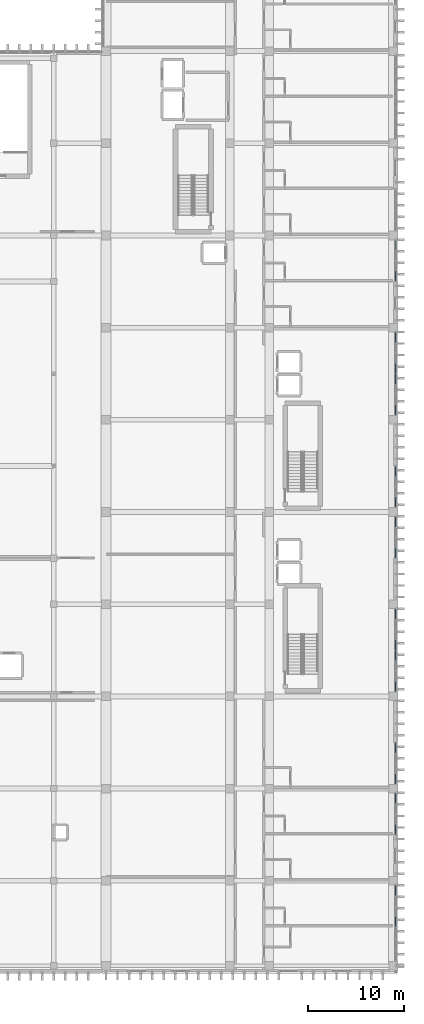
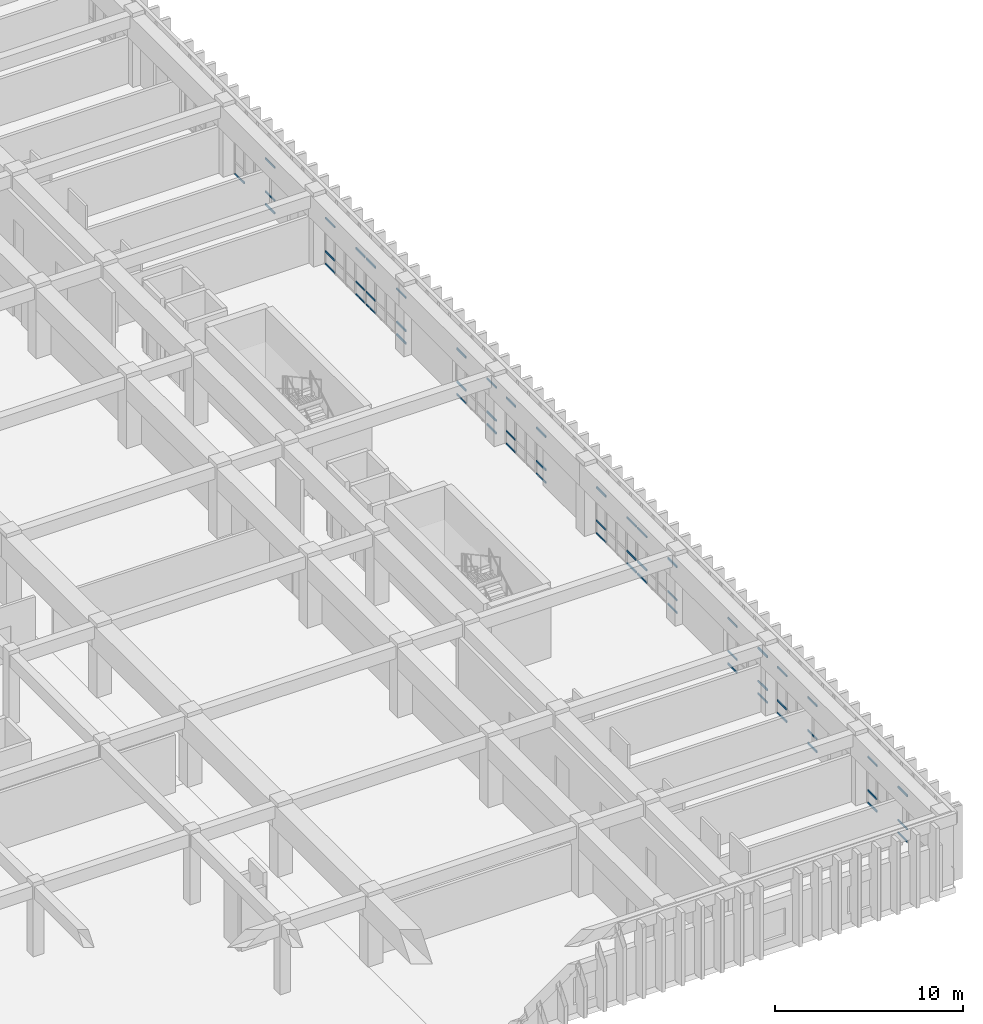
# One storey, part 61 of 101: 58 members, 10 elements without a shape of their own.
"""IFC4 building model written with IfcOpenShell, lengths in metres."""

from ifc_helpers import new_model, si_unit, direction, frame, origin, origin_2d, place, context, subcontext, project, spatial, hollow_rectangle, extrude, material, layer, layer_set, material_profile, profile_set, type_object, element, aggregate, save


model = new_model("IFC4")

# Units and contexts
model_context = context("Model", 3, precision=1e-05, world=origin(), true_north=direction((0.0, 1.0)))
body_context = subcontext(model_context, "Body", "Model", "MODEL_VIEW")
ifc_project = project(units=[si_unit("LENGTHUNIT", "METRE"), si_unit("AREAUNIT", "SQUARE_METRE"), si_unit("VOLUMEUNIT", "CUBIC_METRE"), si_unit("PLANEANGLEUNIT", "RADIAN"), si_unit("MASSUNIT", "GRAM", prefix="KILO")], contexts=[model_context])

# Site, building, storey
site_placement = place(None, origin())
site = spatial("IfcSite", under=ifc_project, at=site_placement, CompositionType="ELEMENT")
building_placement = place(site_placement, origin())
building = spatial("IfcBuilding", under=site, at=building_placement, Name="Nakhvara Creek Congress Hotel", CompositionType="ELEMENT")
storey_placement = place(building_placement, frame((0.0, 0.0, 16.199951171875)))
storey = spatial("IfcBuildingStorey", under=building, at=storey_placement, Name="L03", CompositionType="ELEMENT", Elevation=16.199951171875)

# Curtain wall, members
ifc_material_1 = material(Name="Bronze-anodised aluminium AW-6063-T6 and double-silver low-E glass", Category="aluminium")
ifc_layer = layer(ifc_material_1, 0.199951171875)
ifc_layer_set = layer_set([ifc_layer], Name="Bronze-anodised aluminium AW-6063-T6 and double-silver low-E glass")
curtain_wall_type = type_object("IfcCurtainWallType", Name="CW-HTL-UNIT", PredefinedType="USERDEFINED", material=ifc_layer_set)
curtain_wall_1_placement = place(storey_placement, origin())
curtain_wall_1 = element("IfcCurtainWall", 1, at=curtain_wall_1_placement, inside=storey, type_object=curtain_wall_type, Name="Curtain Wall CW151", ObjectType="UNITISED", PredefinedType="USERDEFINED")
ifc_material_2 = material(Name="Bronze-anodised aluminium AW-6063-T6", Category="aluminium")
ifc_material_profile = material_profile(ifc_material_2, hollow_rectangle(XDim=0.06494140625, YDim=0.1201171875, WallThickness=0.00390625, at=origin_2d()), Name="ALU-TRAN 65x120x4", Category="LoadBearing")
ifc_profile_set = profile_set([ifc_material_profile], Name="Bronze-anodised aluminium AW-6063-T6")
member_type = type_object("IfcMemberType", Name="CW-TRAN-120", PredefinedType="USERDEFINED", material=ifc_profile_set)
member_1_placement = place(storey_placement, frame((179.60009765625, 9.070068359375, 0.032470703125), z_axis=(0.0, -1.0, 0.0), x_axis=(1.0, 0.0, 0.0)))
member_1 = element("IfcMember", 2, at=member_1_placement, type_object=member_type, Name="CW151 transom 1.1", ObjectType="TRANSOM", PredefinedType="USERDEFINED", context=body_context, shape_type="SweptSolid", body=[
    extrude(hollow_rectangle(XDim=0.06494140625, YDim=0.1201171875, WallThickness=0.00390625, at=origin_2d()), origin(), (0.0, 0.0, 1.0), 0.986328125),
])
member_2_placement = place(storey_placement, frame((179.60009765625, 9.070068359375, 0.85009765625), z_axis=(0.0, -1.0, 0.0), x_axis=(1.0, 0.0, 0.0)))
member_2 = element("IfcMember", 3, at=member_2_placement, type_object=member_type, Name="CW151 transom 1.2", ObjectType="TRANSOM", PredefinedType="USERDEFINED", context=body_context, shape_type="SweptSolid", body=[
    extrude(hollow_rectangle(XDim=0.06494140625, YDim=0.1201171875, WallThickness=0.00390625, at=origin_2d()), origin(), (0.0, 0.0, 1.0), 0.986328125),
])
member_3_placement = place(storey_placement, frame((179.60009765625, 9.070068359375, 2.99951171875), z_axis=(0.0, -1.0, 0.0), x_axis=(1.0, 0.0, 0.0)))
member_3 = element("IfcMember", 4, at=member_3_placement, type_object=member_type, Name="CW151 transom 1.3", ObjectType="TRANSOM", PredefinedType="USERDEFINED", context=body_context, shape_type="SweptSolid", body=[
    extrude(hollow_rectangle(XDim=0.06494140625, YDim=0.1201171875, WallThickness=0.00390625, at=origin_2d()), origin(), (0.0, 0.0, 1.0), 0.986328125),
])
member_4_placement = place(storey_placement, frame((179.60009765625, 5.851318359375, 0.032470703125), z_axis=(0.0, -1.0, 0.0), x_axis=(1.0, 0.0, 0.0)))
member_4 = element("IfcMember", 5, at=member_4_placement, type_object=member_type, Name="CW151 transom 4.1", ObjectType="TRANSOM", PredefinedType="USERDEFINED", context=body_context, shape_type="SweptSolid", body=[
    extrude(hollow_rectangle(XDim=0.06494140625, YDim=0.1201171875, WallThickness=0.00390625, at=origin_2d()), origin(), (0.0, 0.0, 1.0), 0.986328125),
])
member_5_placement = place(storey_placement, frame((179.60009765625, 5.851318359375, 0.85009765625), z_axis=(0.0, -1.0, 0.0), x_axis=(1.0, 0.0, 0.0)))
member_5 = element("IfcMember", 6, at=member_5_placement, type_object=member_type, Name="CW151 transom 4.2", ObjectType="TRANSOM", PredefinedType="USERDEFINED", context=body_context, shape_type="SweptSolid", body=[
    extrude(hollow_rectangle(XDim=0.06494140625, YDim=0.1201171875, WallThickness=0.00390625, at=origin_2d()), origin(), (0.0, 0.0, 1.0), 0.986328125),
])
member_6_placement = place(storey_placement, frame((179.60009765625, 5.851318359375, 2.99951171875), z_axis=(0.0, -1.0, 0.0), x_axis=(1.0, 0.0, 0.0)))
member_6 = element("IfcMember", 7, at=member_6_placement, type_object=member_type, Name="CW151 transom 4.3", ObjectType="TRANSOM", PredefinedType="USERDEFINED", context=body_context, shape_type="SweptSolid", body=[
    extrude(hollow_rectangle(XDim=0.06494140625, YDim=0.1201171875, WallThickness=0.00390625, at=origin_2d()), origin(), (0.0, 0.0, 1.0), 0.986328125),
])
aggregate(curtain_wall_1, [member_1, member_2, member_3, member_4, member_5, member_6])

curtain_wall_2_placement = place(storey_placement, origin())
curtain_wall_2 = element("IfcCurtainWall", 8, at=curtain_wall_2_placement, inside=storey, type_object=curtain_wall_type, Name="Curtain Wall CW152", ObjectType="UNITISED", PredefinedType="USERDEFINED")
member_7_placement = place(storey_placement, frame((179.60009765625, 18.669921875, 0.032470703125), z_axis=(0.0, -1.0, 0.0), x_axis=(1.0, 0.0, 0.0)))
member_7 = element("IfcMember", 9, at=member_7_placement, type_object=member_type, Name="CW152 transom 1.1", ObjectType="TRANSOM", PredefinedType="USERDEFINED", context=body_context, shape_type="SweptSolid", body=[
    extrude(hollow_rectangle(XDim=0.06494140625, YDim=0.1201171875, WallThickness=0.00390625, at=origin_2d()), origin(), (0.0, 0.0, 1.0), 0.986083984375),
])
member_8_placement = place(storey_placement, frame((179.60009765625, 18.669921875, 0.85009765625), z_axis=(0.0, -1.0, 0.0), x_axis=(1.0, 0.0, 0.0)))
member_8 = element("IfcMember", 10, at=member_8_placement, type_object=member_type, Name="CW152 transom 1.2", ObjectType="TRANSOM", PredefinedType="USERDEFINED", context=body_context, shape_type="SweptSolid", body=[
    extrude(hollow_rectangle(XDim=0.06494140625, YDim=0.1201171875, WallThickness=0.00390625, at=origin_2d()), origin(), (0.0, 0.0, 1.0), 0.986083984375),
])
member_9_placement = place(storey_placement, frame((179.60009765625, 18.669921875, 2.99951171875), z_axis=(0.0, -1.0, 0.0), x_axis=(1.0, 0.0, 0.0)))
member_9 = element("IfcMember", 11, at=member_9_placement, type_object=member_type, Name="CW152 transom 1.3", ObjectType="TRANSOM", PredefinedType="USERDEFINED", context=body_context, shape_type="SweptSolid", body=[
    extrude(hollow_rectangle(XDim=0.06494140625, YDim=0.1201171875, WallThickness=0.00390625, at=origin_2d()), origin(), (0.0, 0.0, 1.0), 0.986083984375),
])
member_10_placement = place(storey_placement, frame((179.60009765625, 15.451171875, 0.032470703125), z_axis=(0.0, -1.0, 0.0), x_axis=(1.0, 0.0, 0.0)))
member_10 = element("IfcMember", 12, at=member_10_placement, type_object=member_type, Name="CW152 transom 4.1", ObjectType="TRANSOM", PredefinedType="USERDEFINED", context=body_context, shape_type="SweptSolid", body=[
    extrude(hollow_rectangle(XDim=0.06494140625, YDim=0.1201171875, WallThickness=0.00390625, at=origin_2d()), origin(), (0.0, 0.0, 1.0), 0.986083984375),
])
member_11_placement = place(storey_placement, frame((179.60009765625, 15.451171875, 0.85009765625), z_axis=(0.0, -1.0, 0.0), x_axis=(1.0, 0.0, 0.0)))
member_11 = element("IfcMember", 13, at=member_11_placement, type_object=member_type, Name="CW152 transom 4.2", ObjectType="TRANSOM", PredefinedType="USERDEFINED", context=body_context, shape_type="SweptSolid", body=[
    extrude(hollow_rectangle(XDim=0.06494140625, YDim=0.1201171875, WallThickness=0.00390625, at=origin_2d()), origin(), (0.0, 0.0, 1.0), 0.986083984375),
])
member_12_placement = place(storey_placement, frame((179.60009765625, 15.451171875, 2.99951171875), z_axis=(0.0, -1.0, 0.0), x_axis=(1.0, 0.0, 0.0)))
member_12 = element("IfcMember", 14, at=member_12_placement, type_object=member_type, Name="CW152 transom 4.3", ObjectType="TRANSOM", PredefinedType="USERDEFINED", context=body_context, shape_type="SweptSolid", body=[
    extrude(hollow_rectangle(XDim=0.06494140625, YDim=0.1201171875, WallThickness=0.00390625, at=origin_2d()), origin(), (0.0, 0.0, 1.0), 0.986083984375),
])
aggregate(curtain_wall_2, [member_7, member_8, member_9, member_10, member_11, member_12])

curtain_wall_3_placement = place(storey_placement, origin())
curtain_wall_3 = element("IfcCurtainWall", 15, at=curtain_wall_3_placement, inside=storey, type_object=curtain_wall_type, Name="Curtain Wall CW153", ObjectType="UNITISED", PredefinedType="USERDEFINED")
member_13_placement = place(storey_placement, frame((179.60009765625, 23.93505859375, 0.032470703125), z_axis=(0.0, -1.0, 0.0), x_axis=(1.0, 0.0, 0.0)))
member_13 = element("IfcMember", 16, at=member_13_placement, type_object=member_type, Name="CW153 transom 1.1", ObjectType="TRANSOM", PredefinedType="USERDEFINED", context=body_context, shape_type="SweptSolid", body=[
    extrude(hollow_rectangle(XDim=0.06494140625, YDim=0.1201171875, WallThickness=0.00390625, at=origin_2d()), origin(), (0.0, 0.0, 1.0), 0.986328125),
])
member_14_placement = place(storey_placement, frame((179.60009765625, 23.93505859375, 0.85009765625), z_axis=(0.0, -1.0, 0.0), x_axis=(1.0, 0.0, 0.0)))
member_14 = element("IfcMember", 17, at=member_14_placement, type_object=member_type, Name="CW153 transom 1.2", ObjectType="TRANSOM", PredefinedType="USERDEFINED", context=body_context, shape_type="SweptSolid", body=[
    extrude(hollow_rectangle(XDim=0.06494140625, YDim=0.1201171875, WallThickness=0.00390625, at=origin_2d()), origin(), (0.0, 0.0, 1.0), 0.986328125),
])
member_15_placement = place(storey_placement, frame((179.60009765625, 23.93505859375, 2.99951171875), z_axis=(0.0, -1.0, 0.0), x_axis=(1.0, 0.0, 0.0)))
member_15 = element("IfcMember", 18, at=member_15_placement, type_object=member_type, Name="CW153 transom 1.3", ObjectType="TRANSOM", PredefinedType="USERDEFINED", context=body_context, shape_type="SweptSolid", body=[
    extrude(hollow_rectangle(XDim=0.06494140625, YDim=0.1201171875, WallThickness=0.00390625, at=origin_2d()), origin(), (0.0, 0.0, 1.0), 0.986328125),
])
member_16_placement = place(storey_placement, frame((179.60009765625, 20.71630859375, 0.032470703125), z_axis=(0.0, -1.0, 0.0), x_axis=(1.0, 0.0, 0.0)))
member_16 = element("IfcMember", 19, at=member_16_placement, type_object=member_type, Name="CW153 transom 4.1", ObjectType="TRANSOM", PredefinedType="USERDEFINED", context=body_context, shape_type="SweptSolid", body=[
    extrude(hollow_rectangle(XDim=0.06494140625, YDim=0.1201171875, WallThickness=0.00390625, at=origin_2d()), origin(), (0.0, 0.0, 1.0), 0.986328125),
])
member_17_placement = place(storey_placement, frame((179.60009765625, 20.71630859375, 0.85009765625), z_axis=(0.0, -1.0, 0.0), x_axis=(1.0, 0.0, 0.0)))
member_17 = element("IfcMember", 20, at=member_17_placement, type_object=member_type, Name="CW153 transom 4.2", ObjectType="TRANSOM", PredefinedType="USERDEFINED", context=body_context, shape_type="SweptSolid", body=[
    extrude(hollow_rectangle(XDim=0.06494140625, YDim=0.1201171875, WallThickness=0.00390625, at=origin_2d()), origin(), (0.0, 0.0, 1.0), 0.986328125),
])
member_18_placement = place(storey_placement, frame((179.60009765625, 20.71630859375, 2.99951171875), z_axis=(0.0, -1.0, 0.0), x_axis=(1.0, 0.0, 0.0)))
member_18 = element("IfcMember", 21, at=member_18_placement, type_object=member_type, Name="CW153 transom 4.3", ObjectType="TRANSOM", PredefinedType="USERDEFINED", context=body_context, shape_type="SweptSolid", body=[
    extrude(hollow_rectangle(XDim=0.06494140625, YDim=0.1201171875, WallThickness=0.00390625, at=origin_2d()), origin(), (0.0, 0.0, 1.0), 0.986328125),
])
aggregate(curtain_wall_3, [member_13, member_14, member_15, member_16, member_17, member_18])

curtain_wall_4_placement = place(storey_placement, origin())
curtain_wall_4 = element("IfcCurtainWall", 22, at=curtain_wall_4_placement, inside=storey, type_object=curtain_wall_type, Name="Curtain Wall CW154", ObjectType="UNITISED", PredefinedType="USERDEFINED")
member_19_placement = place(storey_placement, frame((179.60009765625, 33.534912109375, 0.032470703125), z_axis=(0.0, -1.0, 0.0), x_axis=(1.0, 0.0, 0.0)))
member_19 = element("IfcMember", 23, at=member_19_placement, type_object=member_type, Name="CW154 transom 1.1", ObjectType="TRANSOM", PredefinedType="USERDEFINED", context=body_context, shape_type="SweptSolid", body=[
    extrude(hollow_rectangle(XDim=0.06494140625, YDim=0.1201171875, WallThickness=0.00390625, at=origin_2d()), origin(), (0.0, 0.0, 1.0), 0.986083984375),
])
member_20_placement = place(storey_placement, frame((179.60009765625, 33.534912109375, 0.85009765625), z_axis=(0.0, -1.0, 0.0), x_axis=(1.0, 0.0, 0.0)))
member_20 = element("IfcMember", 24, at=member_20_placement, type_object=member_type, Name="CW154 transom 1.2", ObjectType="TRANSOM", PredefinedType="USERDEFINED", context=body_context, shape_type="SweptSolid", body=[
    extrude(hollow_rectangle(XDim=0.06494140625, YDim=0.1201171875, WallThickness=0.00390625, at=origin_2d()), origin(), (0.0, 0.0, 1.0), 0.986083984375),
])
member_21_placement = place(storey_placement, frame((179.60009765625, 33.534912109375, 2.99951171875), z_axis=(0.0, -1.0, 0.0), x_axis=(1.0, 0.0, 0.0)))
member_21 = element("IfcMember", 25, at=member_21_placement, type_object=member_type, Name="CW154 transom 1.3", ObjectType="TRANSOM", PredefinedType="USERDEFINED", context=body_context, shape_type="SweptSolid", body=[
    extrude(hollow_rectangle(XDim=0.06494140625, YDim=0.1201171875, WallThickness=0.00390625, at=origin_2d()), origin(), (0.0, 0.0, 1.0), 0.986083984375),
])
member_22_placement = place(storey_placement, frame((179.60009765625, 30.316162109375, 0.032470703125), z_axis=(0.0, -1.0, 0.0), x_axis=(1.0, 0.0, 0.0)))
member_22 = element("IfcMember", 26, at=member_22_placement, type_object=member_type, Name="CW154 transom 4.1", ObjectType="TRANSOM", PredefinedType="USERDEFINED", context=body_context, shape_type="SweptSolid", body=[
    extrude(hollow_rectangle(XDim=0.06494140625, YDim=0.1201171875, WallThickness=0.00390625, at=origin_2d()), origin(), (0.0, 0.0, 1.0), 0.986083984375),
])
member_23_placement = place(storey_placement, frame((179.60009765625, 30.316162109375, 0.85009765625), z_axis=(0.0, -1.0, 0.0), x_axis=(1.0, 0.0, 0.0)))
member_23 = element("IfcMember", 27, at=member_23_placement, type_object=member_type, Name="CW154 transom 4.2", ObjectType="TRANSOM", PredefinedType="USERDEFINED", context=body_context, shape_type="SweptSolid", body=[
    extrude(hollow_rectangle(XDim=0.06494140625, YDim=0.1201171875, WallThickness=0.00390625, at=origin_2d()), origin(), (0.0, 0.0, 1.0), 0.986083984375),
])
member_24_placement = place(storey_placement, frame((179.60009765625, 30.316162109375, 2.99951171875), z_axis=(0.0, -1.0, 0.0), x_axis=(1.0, 0.0, 0.0)))
member_24 = element("IfcMember", 28, at=member_24_placement, type_object=member_type, Name="CW154 transom 4.3", ObjectType="TRANSOM", PredefinedType="USERDEFINED", context=body_context, shape_type="SweptSolid", body=[
    extrude(hollow_rectangle(XDim=0.06494140625, YDim=0.1201171875, WallThickness=0.00390625, at=origin_2d()), origin(), (0.0, 0.0, 1.0), 0.986083984375),
])
aggregate(curtain_wall_4, [member_19, member_20, member_21, member_22, member_23, member_24])

curtain_wall_5_placement = place(storey_placement, origin())
curtain_wall_5 = element("IfcCurtainWall", 29, at=curtain_wall_5_placement, inside=storey, type_object=curtain_wall_type, Name="Curtain Wall CW155", ObjectType="UNITISED", PredefinedType="USERDEFINED")
member_25_placement = place(storey_placement, frame((179.60009765625, 37.8701171875, 0.032470703125), z_axis=(0.0, -1.0, 0.0), x_axis=(1.0, 0.0, 0.0)))
member_25 = element("IfcMember", 30, at=member_25_placement, type_object=member_type, Name="CW155 transom 1.1", ObjectType="TRANSOM", PredefinedType="USERDEFINED", context=body_context, shape_type="SweptSolid", body=[
    extrude(hollow_rectangle(XDim=0.06494140625, YDim=0.1201171875, WallThickness=0.00390625, at=origin_2d()), origin(), (0.0, 0.0, 1.0), 0.986328125),
])
member_26_placement = place(storey_placement, frame((179.60009765625, 37.8701171875, 0.85009765625), z_axis=(0.0, -1.0, 0.0), x_axis=(1.0, 0.0, 0.0)))
member_26 = element("IfcMember", 31, at=member_26_placement, type_object=member_type, Name="CW155 transom 1.2", ObjectType="TRANSOM", PredefinedType="USERDEFINED", context=body_context, shape_type="SweptSolid", body=[
    extrude(hollow_rectangle(XDim=0.06494140625, YDim=0.1201171875, WallThickness=0.00390625, at=origin_2d()), origin(), (0.0, 0.0, 1.0), 0.986328125),
])
member_27_placement = place(storey_placement, frame((179.60009765625, 37.8701171875, 2.99951171875), z_axis=(0.0, -1.0, 0.0), x_axis=(1.0, 0.0, 0.0)))
member_27 = element("IfcMember", 32, at=member_27_placement, type_object=member_type, Name="CW155 transom 1.3", ObjectType="TRANSOM", PredefinedType="USERDEFINED", context=body_context, shape_type="SweptSolid", body=[
    extrude(hollow_rectangle(XDim=0.06494140625, YDim=0.1201171875, WallThickness=0.00390625, at=origin_2d()), origin(), (0.0, 0.0, 1.0), 0.986328125),
])
member_28_placement = place(storey_placement, frame((179.60009765625, 34.6513671875, 0.032470703125), z_axis=(0.0, -1.0, 0.0), x_axis=(1.0, 0.0, 0.0)))
member_28 = element("IfcMember", 33, at=member_28_placement, type_object=member_type, Name="CW155 transom 4.1", ObjectType="TRANSOM", PredefinedType="USERDEFINED", context=body_context, shape_type="SweptSolid", body=[
    extrude(hollow_rectangle(XDim=0.06494140625, YDim=0.1201171875, WallThickness=0.00390625, at=origin_2d()), origin(), (0.0, 0.0, 1.0), 0.986328125),
])
member_29_placement = place(storey_placement, frame((179.60009765625, 34.6513671875, 0.85009765625), z_axis=(0.0, -1.0, 0.0), x_axis=(1.0, 0.0, 0.0)))
member_29 = element("IfcMember", 34, at=member_29_placement, type_object=member_type, Name="CW155 transom 4.2", ObjectType="TRANSOM", PredefinedType="USERDEFINED", context=body_context, shape_type="SweptSolid", body=[
    extrude(hollow_rectangle(XDim=0.06494140625, YDim=0.1201171875, WallThickness=0.00390625, at=origin_2d()), origin(), (0.0, 0.0, 1.0), 0.986328125),
])
member_30_placement = place(storey_placement, frame((179.60009765625, 34.6513671875, 2.99951171875), z_axis=(0.0, -1.0, 0.0), x_axis=(1.0, 0.0, 0.0)))
member_30 = element("IfcMember", 35, at=member_30_placement, type_object=member_type, Name="CW155 transom 4.3", ObjectType="TRANSOM", PredefinedType="USERDEFINED", context=body_context, shape_type="SweptSolid", body=[
    extrude(hollow_rectangle(XDim=0.06494140625, YDim=0.1201171875, WallThickness=0.00390625, at=origin_2d()), origin(), (0.0, 0.0, 1.0), 0.986328125),
])
aggregate(curtain_wall_5, [member_25, member_26, member_27, member_28, member_29, member_30])

curtain_wall_6_placement = place(storey_placement, origin())
curtain_wall_6 = element("IfcCurtainWall", 36, at=curtain_wall_6_placement, inside=storey, type_object=curtain_wall_type, Name="Curtain Wall CW156", ObjectType="UNITISED", PredefinedType="USERDEFINED")
member_31_placement = place(storey_placement, frame((179.60009765625, 47.469970703125, 0.032470703125), z_axis=(0.0, -1.0, 0.0), x_axis=(1.0, 0.0, 0.0)))
member_31 = element("IfcMember", 37, at=member_31_placement, type_object=member_type, Name="CW156 transom 1.1", ObjectType="TRANSOM", PredefinedType="USERDEFINED", context=body_context, shape_type="SweptSolid", body=[
    extrude(hollow_rectangle(XDim=0.06494140625, YDim=0.1201171875, WallThickness=0.00390625, at=origin_2d()), origin(), (0.0, 0.0, 1.0), 0.986328125),
])
member_32_placement = place(storey_placement, frame((179.60009765625, 47.469970703125, 0.85009765625), z_axis=(0.0, -1.0, 0.0), x_axis=(1.0, 0.0, 0.0)))
member_32 = element("IfcMember", 38, at=member_32_placement, type_object=member_type, Name="CW156 transom 1.2", ObjectType="TRANSOM", PredefinedType="USERDEFINED", context=body_context, shape_type="SweptSolid", body=[
    extrude(hollow_rectangle(XDim=0.06494140625, YDim=0.1201171875, WallThickness=0.00390625, at=origin_2d()), origin(), (0.0, 0.0, 1.0), 0.986328125),
])
member_33_placement = place(storey_placement, frame((179.60009765625, 47.469970703125, 2.99951171875), z_axis=(0.0, -1.0, 0.0), x_axis=(1.0, 0.0, 0.0)))
member_33 = element("IfcMember", 39, at=member_33_placement, type_object=member_type, Name="CW156 transom 1.3", ObjectType="TRANSOM", PredefinedType="USERDEFINED", context=body_context, shape_type="SweptSolid", body=[
    extrude(hollow_rectangle(XDim=0.06494140625, YDim=0.1201171875, WallThickness=0.00390625, at=origin_2d()), origin(), (0.0, 0.0, 1.0), 0.986328125),
])
member_34_placement = place(storey_placement, frame((179.60009765625, 44.251220703125, 0.032470703125), z_axis=(0.0, -1.0, 0.0), x_axis=(1.0, 0.0, 0.0)))
member_34 = element("IfcMember", 40, at=member_34_placement, type_object=member_type, Name="CW156 transom 4.1", ObjectType="TRANSOM", PredefinedType="USERDEFINED", context=body_context, shape_type="SweptSolid", body=[
    extrude(hollow_rectangle(XDim=0.06494140625, YDim=0.1201171875, WallThickness=0.00390625, at=origin_2d()), origin(), (0.0, 0.0, 1.0), 0.986328125),
])
member_35_placement = place(storey_placement, frame((179.60009765625, 44.251220703125, 0.85009765625), z_axis=(0.0, -1.0, 0.0), x_axis=(1.0, 0.0, 0.0)))
member_35 = element("IfcMember", 41, at=member_35_placement, type_object=member_type, Name="CW156 transom 4.2", ObjectType="TRANSOM", PredefinedType="USERDEFINED", context=body_context, shape_type="SweptSolid", body=[
    extrude(hollow_rectangle(XDim=0.06494140625, YDim=0.1201171875, WallThickness=0.00390625, at=origin_2d()), origin(), (0.0, 0.0, 1.0), 0.986328125),
])
member_36_placement = place(storey_placement, frame((179.60009765625, 44.251220703125, 2.99951171875), z_axis=(0.0, -1.0, 0.0), x_axis=(1.0, 0.0, 0.0)))
member_36 = element("IfcMember", 42, at=member_36_placement, type_object=member_type, Name="CW156 transom 4.3", ObjectType="TRANSOM", PredefinedType="USERDEFINED", context=body_context, shape_type="SweptSolid", body=[
    extrude(hollow_rectangle(XDim=0.06494140625, YDim=0.1201171875, WallThickness=0.00390625, at=origin_2d()), origin(), (0.0, 0.0, 1.0), 0.986328125),
])
aggregate(curtain_wall_6, [member_31, member_32, member_33, member_34, member_35, member_36])

curtain_wall_7_placement = place(storey_placement, origin())
curtain_wall_7 = element("IfcCurtainWall", 43, at=curtain_wall_7_placement, inside=storey, type_object=curtain_wall_type, Name="Curtain Wall CW157", ObjectType="UNITISED", PredefinedType="USERDEFINED")
member_37_placement = place(storey_placement, frame((179.60009765625, 52.735107421875, 0.032470703125), z_axis=(0.0, -1.0, 0.0), x_axis=(1.0, 0.0, 0.0)))
member_37 = element("IfcMember", 44, at=member_37_placement, type_object=member_type, Name="CW157 transom 1.1", ObjectType="TRANSOM", PredefinedType="USERDEFINED", context=body_context, shape_type="SweptSolid", body=[
    extrude(hollow_rectangle(XDim=0.06494140625, YDim=0.1201171875, WallThickness=0.00390625, at=origin_2d()), origin(), (0.0, 0.0, 1.0), 0.986328125),
])
member_38_placement = place(storey_placement, frame((179.60009765625, 52.735107421875, 0.85009765625), z_axis=(0.0, -1.0, 0.0), x_axis=(1.0, 0.0, 0.0)))
member_38 = element("IfcMember", 45, at=member_38_placement, type_object=member_type, Name="CW157 transom 1.2", ObjectType="TRANSOM", PredefinedType="USERDEFINED", context=body_context, shape_type="SweptSolid", body=[
    extrude(hollow_rectangle(XDim=0.06494140625, YDim=0.1201171875, WallThickness=0.00390625, at=origin_2d()), origin(), (0.0, 0.0, 1.0), 0.986328125),
])
member_39_placement = place(storey_placement, frame((179.60009765625, 52.735107421875, 2.99951171875), z_axis=(0.0, -1.0, 0.0), x_axis=(1.0, 0.0, 0.0)))
member_39 = element("IfcMember", 46, at=member_39_placement, type_object=member_type, Name="CW157 transom 1.3", ObjectType="TRANSOM", PredefinedType="USERDEFINED", context=body_context, shape_type="SweptSolid", body=[
    extrude(hollow_rectangle(XDim=0.06494140625, YDim=0.1201171875, WallThickness=0.00390625, at=origin_2d()), origin(), (0.0, 0.0, 1.0), 0.986328125),
])
member_40_placement = place(storey_placement, frame((179.60009765625, 49.516357421875, 0.032470703125), z_axis=(0.0, -1.0, 0.0), x_axis=(1.0, 0.0, 0.0)))
member_40 = element("IfcMember", 47, at=member_40_placement, type_object=member_type, Name="CW157 transom 4.1", ObjectType="TRANSOM", PredefinedType="USERDEFINED", context=body_context, shape_type="SweptSolid", body=[
    extrude(hollow_rectangle(XDim=0.06494140625, YDim=0.1201171875, WallThickness=0.00390625, at=origin_2d()), origin(), (0.0, 0.0, 1.0), 0.986328125),
])
member_41_placement = place(storey_placement, frame((179.60009765625, 49.516357421875, 0.85009765625), z_axis=(0.0, -1.0, 0.0), x_axis=(1.0, 0.0, 0.0)))
member_41 = element("IfcMember", 48, at=member_41_placement, type_object=member_type, Name="CW157 transom 4.2", ObjectType="TRANSOM", PredefinedType="USERDEFINED", context=body_context, shape_type="SweptSolid", body=[
    extrude(hollow_rectangle(XDim=0.06494140625, YDim=0.1201171875, WallThickness=0.00390625, at=origin_2d()), origin(), (0.0, 0.0, 1.0), 0.986328125),
])
member_42_placement = place(storey_placement, frame((179.60009765625, 49.516357421875, 2.99951171875), z_axis=(0.0, -1.0, 0.0), x_axis=(1.0, 0.0, 0.0)))
member_42 = element("IfcMember", 49, at=member_42_placement, type_object=member_type, Name="CW157 transom 4.3", ObjectType="TRANSOM", PredefinedType="USERDEFINED", context=body_context, shape_type="SweptSolid", body=[
    extrude(hollow_rectangle(XDim=0.06494140625, YDim=0.1201171875, WallThickness=0.00390625, at=origin_2d()), origin(), (0.0, 0.0, 1.0), 0.986328125),
])
aggregate(curtain_wall_7, [member_37, member_38, member_39, member_40, member_41, member_42])

curtain_wall_8_placement = place(storey_placement, origin())
curtain_wall_8 = element("IfcCurtainWall", 50, at=curtain_wall_8_placement, inside=storey, type_object=curtain_wall_type, Name="Curtain Wall CW158", ObjectType="UNITISED", PredefinedType="USERDEFINED")
member_43_placement = place(storey_placement, frame((179.60009765625, 62.3349609375, 0.032470703125), z_axis=(0.0, -1.0, 0.0), x_axis=(1.0, 0.0, 0.0)))
member_43 = element("IfcMember", 51, at=member_43_placement, type_object=member_type, Name="CW158 transom 1.1", ObjectType="TRANSOM", PredefinedType="USERDEFINED", context=body_context, shape_type="SweptSolid", body=[
    extrude(hollow_rectangle(XDim=0.06494140625, YDim=0.1201171875, WallThickness=0.00390625, at=origin_2d()), origin(), (0.0, 0.0, 1.0), 0.986328125),
])
member_44_placement = place(storey_placement, frame((179.60009765625, 62.3349609375, 0.85009765625), z_axis=(0.0, -1.0, 0.0), x_axis=(1.0, 0.0, 0.0)))
member_44 = element("IfcMember", 52, at=member_44_placement, type_object=member_type, Name="CW158 transom 1.2", ObjectType="TRANSOM", PredefinedType="USERDEFINED", context=body_context, shape_type="SweptSolid", body=[
    extrude(hollow_rectangle(XDim=0.06494140625, YDim=0.1201171875, WallThickness=0.00390625, at=origin_2d()), origin(), (0.0, 0.0, 1.0), 0.986328125),
])
member_45_placement = place(storey_placement, frame((179.60009765625, 62.3349609375, 2.99951171875), z_axis=(0.0, -1.0, 0.0), x_axis=(1.0, 0.0, 0.0)))
member_45 = element("IfcMember", 53, at=member_45_placement, type_object=member_type, Name="CW158 transom 1.3", ObjectType="TRANSOM", PredefinedType="USERDEFINED", context=body_context, shape_type="SweptSolid", body=[
    extrude(hollow_rectangle(XDim=0.06494140625, YDim=0.1201171875, WallThickness=0.00390625, at=origin_2d()), origin(), (0.0, 0.0, 1.0), 0.986328125),
])
member_46_placement = place(storey_placement, frame((179.60009765625, 59.1162109375, 0.032470703125), z_axis=(0.0, -1.0, 0.0), x_axis=(1.0, 0.0, 0.0)))
member_46 = element("IfcMember", 54, at=member_46_placement, type_object=member_type, Name="CW158 transom 4.1", ObjectType="TRANSOM", PredefinedType="USERDEFINED", context=body_context, shape_type="SweptSolid", body=[
    extrude(hollow_rectangle(XDim=0.06494140625, YDim=0.1201171875, WallThickness=0.00390625, at=origin_2d()), origin(), (0.0, 0.0, 1.0), 0.986328125),
])
member_47_placement = place(storey_placement, frame((179.60009765625, 59.1162109375, 0.85009765625), z_axis=(0.0, -1.0, 0.0), x_axis=(1.0, 0.0, 0.0)))
member_47 = element("IfcMember", 55, at=member_47_placement, type_object=member_type, Name="CW158 transom 4.2", ObjectType="TRANSOM", PredefinedType="USERDEFINED", context=body_context, shape_type="SweptSolid", body=[
    extrude(hollow_rectangle(XDim=0.06494140625, YDim=0.1201171875, WallThickness=0.00390625, at=origin_2d()), origin(), (0.0, 0.0, 1.0), 0.986328125),
])
member_48_placement = place(storey_placement, frame((179.60009765625, 59.1162109375, 2.99951171875), z_axis=(0.0, -1.0, 0.0), x_axis=(1.0, 0.0, 0.0)))
member_48 = element("IfcMember", 56, at=member_48_placement, type_object=member_type, Name="CW158 transom 4.3", ObjectType="TRANSOM", PredefinedType="USERDEFINED", context=body_context, shape_type="SweptSolid", body=[
    extrude(hollow_rectangle(XDim=0.06494140625, YDim=0.1201171875, WallThickness=0.00390625, at=origin_2d()), origin(), (0.0, 0.0, 1.0), 0.986328125),
])
aggregate(curtain_wall_8, [member_43, member_44, member_45, member_46, member_47, member_48])

curtain_wall_9_placement = place(storey_placement, origin())
curtain_wall_9 = element("IfcCurtainWall", 57, at=curtain_wall_9_placement, inside=storey, type_object=curtain_wall_type, Name="Curtain Wall CW159", ObjectType="UNITISED", PredefinedType="USERDEFINED")
member_49_placement = place(storey_placement, frame((179.60009765625, 66.669921875, 0.032470703125), z_axis=(0.0, -1.0, 0.0), x_axis=(1.0, 0.0, 0.0)))
member_49 = element("IfcMember", 58, at=member_49_placement, type_object=member_type, Name="CW159 transom 1.1", ObjectType="TRANSOM", PredefinedType="USERDEFINED", context=body_context, shape_type="SweptSolid", body=[
    extrude(hollow_rectangle(XDim=0.06494140625, YDim=0.1201171875, WallThickness=0.00390625, at=origin_2d()), origin(), (0.0, 0.0, 1.0), 0.986083984375),
])
member_50_placement = place(storey_placement, frame((179.60009765625, 66.669921875, 0.85009765625), z_axis=(0.0, -1.0, 0.0), x_axis=(1.0, 0.0, 0.0)))
member_50 = element("IfcMember", 59, at=member_50_placement, type_object=member_type, Name="CW159 transom 1.2", ObjectType="TRANSOM", PredefinedType="USERDEFINED", context=body_context, shape_type="SweptSolid", body=[
    extrude(hollow_rectangle(XDim=0.06494140625, YDim=0.1201171875, WallThickness=0.00390625, at=origin_2d()), origin(), (0.0, 0.0, 1.0), 0.986083984375),
])
member_51_placement = place(storey_placement, frame((179.60009765625, 66.669921875, 2.99951171875), z_axis=(0.0, -1.0, 0.0), x_axis=(1.0, 0.0, 0.0)))
member_51 = element("IfcMember", 60, at=member_51_placement, type_object=member_type, Name="CW159 transom 1.3", ObjectType="TRANSOM", PredefinedType="USERDEFINED", context=body_context, shape_type="SweptSolid", body=[
    extrude(hollow_rectangle(XDim=0.06494140625, YDim=0.1201171875, WallThickness=0.00390625, at=origin_2d()), origin(), (0.0, 0.0, 1.0), 0.986083984375),
])
member_52_placement = place(storey_placement, frame((179.60009765625, 63.451171875, 0.032470703125), z_axis=(0.0, -1.0, 0.0), x_axis=(1.0, 0.0, 0.0)))
member_52 = element("IfcMember", 61, at=member_52_placement, type_object=member_type, Name="CW159 transom 4.1", ObjectType="TRANSOM", PredefinedType="USERDEFINED", context=body_context, shape_type="SweptSolid", body=[
    extrude(hollow_rectangle(XDim=0.06494140625, YDim=0.1201171875, WallThickness=0.00390625, at=origin_2d()), origin(), (0.0, 0.0, 1.0), 0.986083984375),
])
member_53_placement = place(storey_placement, frame((179.60009765625, 63.451171875, 0.85009765625), z_axis=(0.0, -1.0, 0.0), x_axis=(1.0, 0.0, 0.0)))
member_53 = element("IfcMember", 62, at=member_53_placement, type_object=member_type, Name="CW159 transom 4.2", ObjectType="TRANSOM", PredefinedType="USERDEFINED", context=body_context, shape_type="SweptSolid", body=[
    extrude(hollow_rectangle(XDim=0.06494140625, YDim=0.1201171875, WallThickness=0.00390625, at=origin_2d()), origin(), (0.0, 0.0, 1.0), 0.986083984375),
])
member_54_placement = place(storey_placement, frame((179.60009765625, 63.451171875, 2.99951171875), z_axis=(0.0, -1.0, 0.0), x_axis=(1.0, 0.0, 0.0)))
member_54 = element("IfcMember", 63, at=member_54_placement, type_object=member_type, Name="CW159 transom 4.3", ObjectType="TRANSOM", PredefinedType="USERDEFINED", context=body_context, shape_type="SweptSolid", body=[
    extrude(hollow_rectangle(XDim=0.06494140625, YDim=0.1201171875, WallThickness=0.00390625, at=origin_2d()), origin(), (0.0, 0.0, 1.0), 0.986083984375),
])
aggregate(curtain_wall_9, [member_49, member_50, member_51, member_52, member_53, member_54])

curtain_wall_10_placement = place(storey_placement, origin())
curtain_wall_10 = element("IfcCurtainWall", 64, at=curtain_wall_10_placement, inside=storey, type_object=curtain_wall_type, Name="Curtain Wall CW160", ObjectType="UNITISED", PredefinedType="USERDEFINED")
member_55_placement = place(storey_placement, frame((179.60009765625, 76.27001953125, 0.032470703125), z_axis=(0.0, -1.0, 0.0), x_axis=(1.0, 0.0, 0.0)))
member_55 = element("IfcMember", 65, at=member_55_placement, type_object=member_type, Name="CW160 transom 1.1", ObjectType="TRANSOM", PredefinedType="USERDEFINED", context=body_context, shape_type="SweptSolid", body=[
    extrude(hollow_rectangle(XDim=0.06494140625, YDim=0.1201171875, WallThickness=0.00390625, at=origin_2d()), origin(), (0.0, 0.0, 1.0), 0.986328125),
])
member_56_placement = place(storey_placement, frame((179.60009765625, 73.05126953125, 0.032470703125), z_axis=(0.0, -1.0, 0.0), x_axis=(1.0, 0.0, 0.0)))
member_56 = element("IfcMember", 66, at=member_56_placement, type_object=member_type, Name="CW160 transom 4.1", ObjectType="TRANSOM", PredefinedType="USERDEFINED", context=body_context, shape_type="SweptSolid", body=[
    extrude(hollow_rectangle(XDim=0.06494140625, YDim=0.1201171875, WallThickness=0.00390625, at=origin_2d()), origin(), (0.0, 0.0, 1.0), 0.986328125),
])
member_57_placement = place(storey_placement, frame((179.60009765625, 73.05126953125, 0.85009765625), z_axis=(0.0, -1.0, 0.0), x_axis=(1.0, 0.0, 0.0)))
member_57 = element("IfcMember", 67, at=member_57_placement, type_object=member_type, Name="CW160 transom 4.2", ObjectType="TRANSOM", PredefinedType="USERDEFINED", context=body_context, shape_type="SweptSolid", body=[
    extrude(hollow_rectangle(XDim=0.06494140625, YDim=0.1201171875, WallThickness=0.00390625, at=origin_2d()), origin(), (0.0, 0.0, 1.0), 0.986328125),
])
member_58_placement = place(storey_placement, frame((179.60009765625, 73.05126953125, 2.99951171875), z_axis=(0.0, -1.0, 0.0), x_axis=(1.0, 0.0, 0.0)))
member_58 = element("IfcMember", 68, at=member_58_placement, type_object=member_type, Name="CW160 transom 4.3", ObjectType="TRANSOM", PredefinedType="USERDEFINED", context=body_context, shape_type="SweptSolid", body=[
    extrude(hollow_rectangle(XDim=0.06494140625, YDim=0.1201171875, WallThickness=0.00390625, at=origin_2d()), origin(), (0.0, 0.0, 1.0), 0.986328125),
])
aggregate(curtain_wall_10, [member_55, member_56, member_57, member_58])

save(model, "model.ifc")
